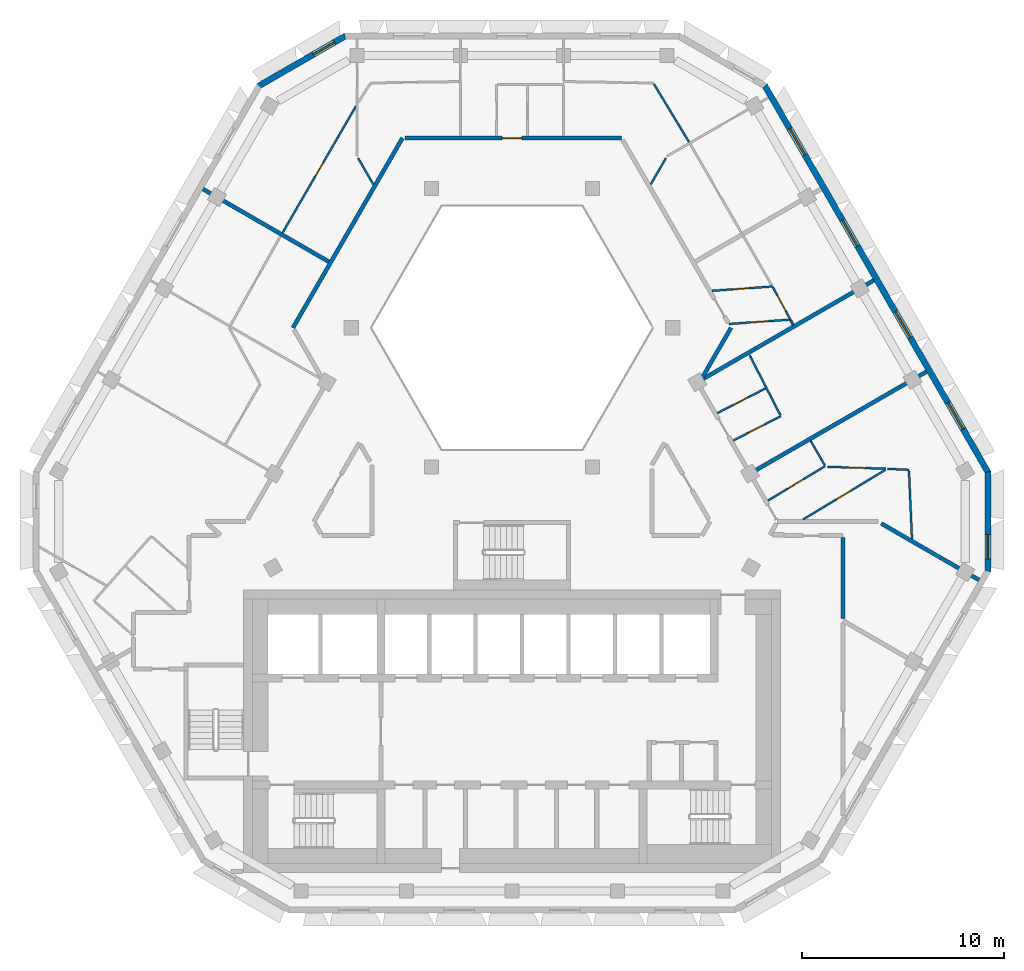
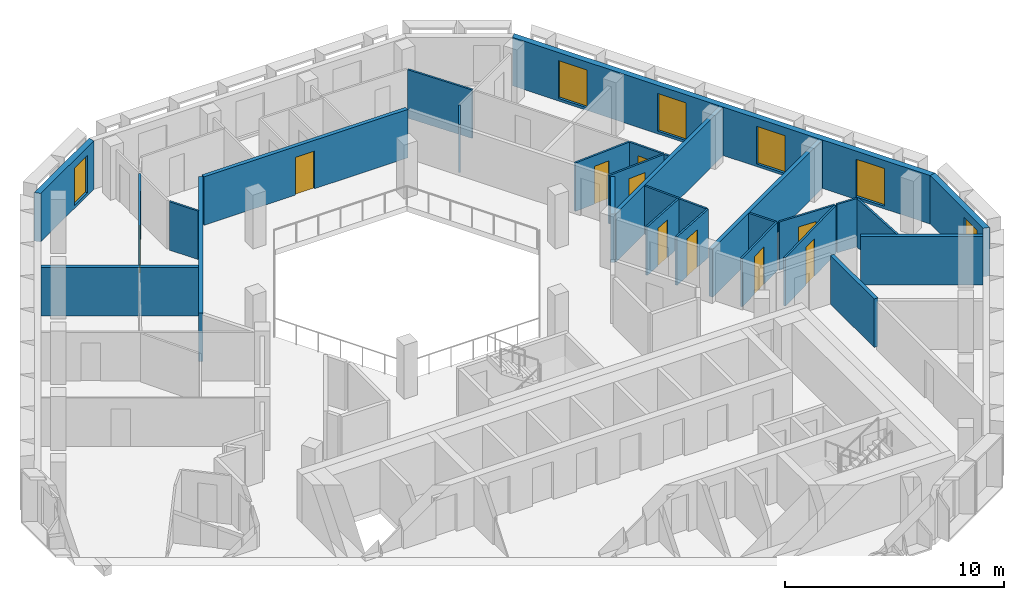
# One storey, part 6 of 14: 28 walls, 10 doors, 6 windows, 16 openings.
"""IFC4 building model written with IfcOpenShell, lengths in metres."""

from ifc_helpers import new_model, si_unit, direction, frame, frame_2d, origin, place, context, subcontext, project, spatial, polyline, rectangle, outline, extrude, material, layer, layer_set, type_object, element, fill, save


model = new_model("IFC4")

# Units and contexts
model_context = context("Model", 3, precision=1e-05, world=origin(), true_north=direction((0.0, 1.0)))
body_context = subcontext(model_context, "Body", "Model", "MODEL_VIEW")
ifc_project = project(units=[si_unit("LENGTHUNIT", "METRE"), si_unit("AREAUNIT", "SQUARE_METRE"), si_unit("VOLUMEUNIT", "CUBIC_METRE"), si_unit("PLANEANGLEUNIT", "RADIAN"), si_unit("MASSUNIT", "GRAM", prefix="KILO")], contexts=[model_context])

# Site, building, storey
site_placement = place(None, origin())
site = spatial("IfcSite", under=ifc_project, at=site_placement, CompositionType="ELEMENT")
building_placement = place(site_placement, origin())
building = spatial("IfcBuilding", under=site, at=building_placement, Name="Beryl Residences", CompositionType="ELEMENT")
storey_placement = place(building_placement, frame((0.0, 0.0, 229.800048828125)))
storey = spatial("IfcBuildingStorey", under=building, at=storey_placement, Name="L71", CompositionType="ELEMENT", Elevation=229.800048828125)

# Wall, opening, window
ifc_material_1 = material(Name="Composite metal panel with mineral wool insulation")
ifc_layer_1 = layer(ifc_material_1, 0.300048828125)
ifc_layer_set_1 = layer_set([ifc_layer_1], Name="ES1 pale metal composite panel wall 300 mm")
wall_type_1 = type_object("IfcWallType", Name="ES1 pale metal composite panel wall 300 mm", PredefinedType="SOLIDWALL", material=ifc_layer_set_1)
wall_1_placement = place(storey_placement, frame((-8.239013671875, 22.469970703125, 0.0), z_axis=(0.0, 0.0, 1.0), x_axis=(-0.866022959057, -0.500004234368, 0.0)))
wall_1 = element("IfcWall", 1, at=wall_1_placement, inside=storey, type_object=wall_type_1, Name="ES1 external wall L71 N-NW", PredefinedType="SOLIDWALL", context=body_context, shape_type="SweptSolid", body=[
    extrude(outline(polyline([(0.0, -0.14990234375), (5.0, -0.14990234375), (4.919677734375, 0.14990234375), (0.080322265625, 0.14990234375), (0.0, -0.14990234375)])), origin(), (0.0, 0.0, 1.0), 2.699951171875),
])
opening_1_placement = place(wall_1_placement, frame((0.64990234375, 0.0, 0.14990234375)))
opening_1 = element("IfcOpeningElement", 2, at=opening_1_placement, cuts=wall_1, Name="Opening W2", PredefinedType="OPENING", context=body_context, shape_type="SweptSolid", body=[
    extrude(rectangle(XDim=1.199951171875, YDim=2.10009765625, at=frame_2d((0.60009765625, 1.050048828125))), frame((0.0, 0.159912109375, 0.0), z_axis=(0.0, -1.0, 0.0), x_axis=(1.0, 0.0, 0.0)), (0.0, 0.0, 1.0), 0.320068359375),
])
ifc_material_2 = material(Name="Aluminium and clear glass", Category="aluminium")
window_type_1 = type_object("IfcWindowType", Name="W2 chamfer window 1200 x 2100 mm", PartitioningType="SINGLE_PANEL", PredefinedType="WINDOW", material=ifc_material_2)
window_1_placement = place(opening_1_placement, origin())
window_1 = element("IfcWindow", 3, at=window_1_placement, inside=storey, type_object=window_type_1, Name="W2 window L71 N-NW 1", OverallHeight=2.10009765625, OverallWidth=1.199951171875, PartitioningType="SINGLE_PANEL", PredefinedType="WINDOW", context=body_context, shape_type="SweptSolid", body=[
    extrude(rectangle(XDim=1.199951171875, YDim=2.10009765625, at=frame_2d((0.60009765625, 1.050048828125))), frame((0.0, 0.030029296875, 0.0), z_axis=(0.0, -1.0, 0.0), x_axis=(1.0, 0.0, 0.0)), (0.0, 0.0, 1.0), 0.06005859375),
])
fill(opening_1, window_1)

wall_2_placement = place(storey_placement, frame((23.5791015625, -4.10009765625, 0.0), z_axis=(0.0, 0.0, 1.0), x_axis=(0.0, 1.0, 0.0)))
wall_2 = element("IfcWall", 4, at=wall_2_placement, inside=storey, type_object=wall_type_1, Name="ES1 external wall L71 SE-NE", PredefinedType="SOLIDWALL", context=body_context, shape_type="SweptSolid", body=[
    extrude(outline(polyline([(0.0, -0.14990234375), (5.0, -0.14990234375), (4.919677734375, 0.14990234375), (0.080322265625, 0.14990234375), (0.0, -0.14990234375)])), origin(), (0.0, 0.0, 1.0), 2.699951171875),
])
opening_2_placement = place(wall_2_placement, frame((0.64990234375, 0.0, 0.14990234375)))
opening_2 = element("IfcOpeningElement", 5, at=opening_2_placement, cuts=wall_2, Name="Opening W2", PredefinedType="OPENING", context=body_context, shape_type="SweptSolid", body=[
    extrude(rectangle(XDim=1.199951171875, YDim=2.10009765625, at=frame_2d((0.60009765625, 1.050048828125))), frame((0.0, 0.159912109375, 0.0), z_axis=(0.0, -1.0, 0.0), x_axis=(1.0, 0.0, 0.0)), (0.0, 0.0, 1.0), 0.320068359375),
])
window_2_placement = place(opening_2_placement, origin())
window_2 = element("IfcWindow", 6, at=window_2_placement, inside=storey, type_object=window_type_1, Name="W2 window L71 SE-NE 1", OverallHeight=2.10009765625, OverallWidth=1.199951171875, PartitioningType="SINGLE_PANEL", PredefinedType="WINDOW", context=body_context, shape_type="SweptSolid", body=[
    extrude(rectangle(XDim=1.199951171875, YDim=2.10009765625, at=frame_2d((0.60009765625, 1.050048828125))), frame((0.0, 0.030029296875, 0.0), z_axis=(0.0, -1.0, 0.0), x_axis=(1.0, 0.0, 0.0)), (0.0, 0.0, 1.0), 0.06005859375),
])
fill(opening_2, window_2)

# Wall, openings, windows
wall_3_placement = place(storey_placement, frame((23.59912109375, 0.824951171875, 0.0), z_axis=(0.0, 0.0, 1.0), x_axis=(-0.500003656944, 0.866023292436, 0.0)))
wall_3 = element("IfcWall", 7, at=wall_3_placement, inside=storey, type_object=wall_type_1, Name="ES1 external wall L71 NE", PredefinedType="SOLIDWALL", context=body_context, shape_type="SweptSolid", body=[
    extrude(outline(polyline([(0.0, -0.14990234375), (22.170166015625, -0.14990234375), (22.08984375, 0.14990234375), (0.080322265625, 0.14990234375), (0.0, -0.14990234375)])), origin(), (0.0, 0.0, 1.0), 2.699951171875),
])
opening_3_placement = place(wall_3_placement, frame((2.4970703125, 0.0, 0.14990234375)))
opening_3 = element("IfcOpeningElement", 8, at=opening_3_placement, cuts=wall_3, Name="Opening W1", PredefinedType="OPENING", context=body_context, shape_type="SweptSolid", body=[
    extrude(rectangle(XDim=1.5, YDim=2.10009765625, at=frame_2d((0.75, 1.050048828125))), frame((0.0, 0.159912109375, 0.0), z_axis=(0.0, -1.0, 0.0), x_axis=(1.0, 0.0, 0.0)), (0.0, 0.0, 1.0), 0.320068359375),
])
opening_4_placement = place(wall_3_placement, frame((7.722900390625, 0.0, 0.14990234375)))
opening_4 = element("IfcOpeningElement", 9, at=opening_4_placement, cuts=wall_3, Name="Opening W1", PredefinedType="OPENING", context=body_context, shape_type="SweptSolid", body=[
    extrude(rectangle(XDim=1.5, YDim=2.10009765625, at=frame_2d((0.75, 1.050048828125))), frame((0.0, 0.159912109375, 0.0), z_axis=(0.0, -1.0, 0.0), x_axis=(1.0, 0.0, 0.0)), (0.0, 0.0, 1.0), 0.320068359375),
])
opening_5_placement = place(wall_3_placement, frame((12.947998046875, 0.0, 0.14990234375)))
opening_5 = element("IfcOpeningElement", 10, at=opening_5_placement, cuts=wall_3, Name="Opening W1", PredefinedType="OPENING", context=body_context, shape_type="SweptSolid", body=[
    extrude(rectangle(XDim=1.5, YDim=2.10009765625, at=frame_2d((0.75, 1.050048828125))), frame((0.0, 0.159912109375, 0.0), z_axis=(0.0, -1.0, 0.0), x_axis=(1.0, 0.0, 0.0)), (0.0, 0.0, 1.0), 0.320068359375),
])
opening_6_placement = place(wall_3_placement, frame((18.173095703125, 0.0, 0.14990234375)))
opening_6 = element("IfcOpeningElement", 11, at=opening_6_placement, cuts=wall_3, Name="Opening W1", PredefinedType="OPENING", context=body_context, shape_type="SweptSolid", body=[
    extrude(rectangle(XDim=1.5, YDim=2.10009765625, at=frame_2d((0.75, 1.050048828125))), frame((0.0, 0.159912109375, 0.0), z_axis=(0.0, -1.0, 0.0), x_axis=(1.0, 0.0, 0.0)), (0.0, 0.0, 1.0), 0.320068359375),
])
ifc_material_3 = material(Name="Aluminium and clear glass", Category="aluminium")
window_type_2 = type_object("IfcWindowType", Name="W1 cell window 1500 x 2100 mm", PartitioningType="SINGLE_PANEL", PredefinedType="WINDOW", material=ifc_material_3)
window_3_placement = place(opening_3_placement, origin())
window_3 = element("IfcWindow", 12, at=window_3_placement, inside=storey, type_object=window_type_2, Name="W1 window L71 NE 2", OverallHeight=2.10009765625, OverallWidth=1.5, PartitioningType="SINGLE_PANEL", PredefinedType="WINDOW", context=body_context, shape_type="SweptSolid", body=[
    extrude(rectangle(XDim=1.5, YDim=2.10009765625, at=frame_2d((0.75, 1.050048828125))), frame((0.0, 0.030029296875, 0.0), z_axis=(0.0, -1.0, 0.0), x_axis=(1.0, 0.0, 0.0)), (0.0, 0.0, 1.0), 0.06005859375),
])
fill(opening_3, window_3)
window_4_placement = place(opening_4_placement, origin())
window_4 = element("IfcWindow", 13, at=window_4_placement, inside=storey, type_object=window_type_2, Name="W1 window L71 NE 4", OverallHeight=2.10009765625, OverallWidth=1.5, PartitioningType="SINGLE_PANEL", PredefinedType="WINDOW", context=body_context, shape_type="SweptSolid", body=[
    extrude(rectangle(XDim=1.5, YDim=2.10009765625, at=frame_2d((0.75, 1.050048828125))), frame((0.0, 0.030029296875, 0.0), z_axis=(0.0, -1.0, 0.0), x_axis=(1.0, 0.0, 0.0)), (0.0, 0.0, 1.0), 0.06005859375),
])
fill(opening_4, window_4)
window_5_placement = place(opening_5_placement, origin())
window_5 = element("IfcWindow", 14, at=window_5_placement, inside=storey, type_object=window_type_2, Name="W1 window L71 NE 6", OverallHeight=2.10009765625, OverallWidth=1.5, PartitioningType="SINGLE_PANEL", PredefinedType="WINDOW", context=body_context, shape_type="SweptSolid", body=[
    extrude(rectangle(XDim=1.5, YDim=2.10009765625, at=frame_2d((0.75, 1.050048828125))), frame((0.0, 0.030029296875, 0.0), z_axis=(0.0, -1.0, 0.0), x_axis=(1.0, 0.0, 0.0)), (0.0, 0.0, 1.0), 0.06005859375),
])
fill(opening_5, window_5)
window_6_placement = place(opening_6_placement, origin())
window_6 = element("IfcWindow", 15, at=window_6_placement, inside=storey, type_object=window_type_2, Name="W1 window L71 NE 8", OverallHeight=2.10009765625, OverallWidth=1.5, PartitioningType="SINGLE_PANEL", PredefinedType="WINDOW", context=body_context, shape_type="SweptSolid", body=[
    extrude(rectangle(XDim=1.5, YDim=2.10009765625, at=frame_2d((0.75, 1.050048828125))), frame((0.0, 0.030029296875, 0.0), z_axis=(0.0, -1.0, 0.0), x_axis=(1.0, 0.0, 0.0)), (0.0, 0.0, 1.0), 0.06005859375),
])
fill(opening_6, window_6)

# Walls
ifc_material_4 = material(Name="Gypsum board partition on steel studs", Category="steel")
ifc_layer_2 = layer(ifc_material_4, 0.10009765625)
ifc_layer_set_2 = layer_set([ifc_layer_2], Name="PT1 partition 100 mm gypsum board on steel studs")
wall_type_2 = type_object("IfcWallType", Name="PT1 partition 100 mm gypsum board on steel studs", PredefinedType="PARTITIONING", material=ifc_layer_set_2)
wall_4_placement = place(storey_placement, frame((7.032958984375, 20.076904296875, 0.0), z_axis=(0.0, 0.0, 1.0), x_axis=(0.517730137343, -0.855543981854, 0.0)))
element("IfcWall", 16, at=wall_4_placement, inside=storey, type_object=wall_type_2, Name="Wall PT1 L71 001", PredefinedType="PARTITIONING", context=body_context, shape_type="SweptSolid", body=[
    extrude(rectangle(XDim=3.37060546875, YDim=0.10009765625, at=frame_2d((1.685302734375, 0.0))), origin(), (0.0, 0.0, 1.0), 2.699951171875),
])
wall_5_placement = place(storey_placement, frame((14.800048828125, 2.39697265625, 0.0), z_axis=(0.0, 0.0, 1.0), x_axis=(0.49989805765, -0.866084252228, 0.0)))
element("IfcWall", 17, at=wall_5_placement, inside=storey, type_object=wall_type_2, Name="Wall PT1 L71 002", PredefinedType="PARTITIONING", context=body_context, shape_type="SweptSolid", body=[
    extrude(rectangle(XDim=1.404052734375, YDim=0.10009765625, at=frame_2d((0.7021484375, 0.0))), origin(), (0.0, 0.0, 1.0), 2.699951171875),
])
wall_6_placement = place(storey_placement, frame((-7.6279296875, 16.412109375, 0.0), z_axis=(0.0, 0.0, 1.0), x_axis=(0.500159472144, -0.86593331292, 0.0)))
element("IfcWall", 18, at=wall_6_placement, inside=storey, type_object=wall_type_2, Name="Wall PT1 L71 003", PredefinedType="PARTITIONING", context=body_context, shape_type="SweptSolid", body=[
    extrude(rectangle(XDim=1.51513671875, YDim=0.10009765625, at=frame_2d((0.757568359375, 0.0))), origin(), (0.0, 0.0, 1.0), 2.699951171875),
])

# Wall, opening, door
wall_7_placement = place(storey_placement, frame((12.922119140625, 10.01611328125, 0.0), z_axis=(0.0, 0.0, 1.0), x_axis=(0.476510550025, -0.879168752695, 0.0)))
wall_7 = element("IfcWall", 19, at=wall_7_placement, inside=storey, type_object=wall_type_2, Name="Wall PT1 L71 006", PredefinedType="PARTITIONING", context=body_context, shape_type="SweptSolid", body=[
    extrude(rectangle(XDim=1.79833984375, YDim=0.10009765625, at=frame_2d((0.899169921875, 0.0))), origin(), (0.0, 0.0, 1.0), 2.699951171875),
])
opening_7_placement = place(wall_7_placement, frame((0.448974609375, 0.0, 0.0)))
opening_7 = element("IfcOpeningElement", 20, at=opening_7_placement, cuts=wall_7, Name="Opening D2233", PredefinedType="OPENING", context=body_context, shape_type="SweptSolid", body=[
    extrude(rectangle(XDim=0.89990234375, YDim=2.10009765625, at=frame_2d((0.449951171875, 1.050048828125))), frame((0.0, 0.06005859375, 0.0), z_axis=(0.0, -1.0, 0.0), x_axis=(1.0, 0.0, 0.0)), (0.0, 0.0, 1.0), 0.1201171875),
])
ifc_material_5 = material(Name="Timber door leaf", Category="wood")
door_type_1 = type_object("IfcDoorType", Name="D2 room door 900 x 2100 mm", OperationType="SINGLE_SWING_LEFT", PredefinedType="DOOR", material=ifc_material_5)
door_1_placement = place(opening_7_placement, origin())
door_1 = element("IfcDoor", 21, at=door_1_placement, inside=storey, type_object=door_type_1, Name="Door D2233 L71 001", OperationType="SINGLE_SWING_LEFT", OverallHeight=2.10009765625, OverallWidth=0.89990234375, PredefinedType="DOOR", context=body_context, shape_type="SweptSolid", body=[
    extrude(rectangle(XDim=0.89990234375, YDim=2.10009765625, at=frame_2d((0.449951171875, 1.050048828125))), frame((0.0, 0.02490234375, 0.0), z_axis=(0.0, -1.0, 0.0), x_axis=(1.0, 0.0, 0.0)), (0.0, 0.0, 1.0), 0.050048828125),
])
fill(opening_7, door_1)

# Walls
wall_8_placement = place(storey_placement, frame((13.81103515625, 8.375, 0.0), z_axis=(0.0, 0.0, 1.0), x_axis=(0.457058020142, -0.889436881529, 0.0)))
element("IfcWall", 22, at=wall_8_placement, inside=storey, type_object=wall_type_2, Name="Wall PT1 L71 007", PredefinedType="PARTITIONING", context=body_context, shape_type="SweptSolid", body=[
    extrude(rectangle(XDim=0.247314453125, YDim=0.10009765625, at=frame_2d((0.12353515625, 0.0))), origin(), (0.0, 0.0, 1.0), 2.699951171875),
])
wall_9_placement = place(storey_placement, frame((11.77197265625, 6.64599609375, 0.0), z_axis=(0.0, 0.0, 1.0), x_axis=(0.456175983405, -0.889889584254, 0.0)))
element("IfcWall", 23, at=wall_9_placement, inside=storey, type_object=wall_type_2, Name="Wall PT1 L71 008", PredefinedType="PARTITIONING", context=body_context, shape_type="SweptSolid", body=[
    extrude(rectangle(XDim=3.34765625, YDim=0.10009765625, at=frame_2d((1.673828125, 0.0))), origin(), (0.0, 0.0, 1.0), 2.699951171875),
])
wall_10_placement = place(storey_placement, frame((19.669921875, 0.908935546875, 0.0), z_axis=(0.0, 0.0, 1.0), x_axis=(0.043933486644, -0.99903445824, 0.0)))
element("IfcWall", 24, at=wall_10_placement, inside=storey, type_object=wall_type_2, Name="Wall PT1 L71 009", PredefinedType="PARTITIONING", context=body_context, shape_type="SweptSolid", body=[
    extrude(rectangle(XDim=3.373046875, YDim=0.10009765625, at=frame_2d((1.6865234375, 0.0))), origin(), (0.0, 0.0, 1.0), 2.699951171875),
])

# Wall, opening, door
wall_11_placement = place(storey_placement, frame((15.631103515625, 1.112060546875, 0.0), z_axis=(0.0, 0.0, 1.0), x_axis=(0.999423034213, -0.033964668168, 0.0)))
wall_11 = element("IfcWall", 25, at=wall_11_placement, inside=storey, type_object=wall_type_2, Name="Wall PT1 L71 014", PredefinedType="PARTITIONING", context=body_context, shape_type="SweptSolid", body=[
    extrude(rectangle(XDim=2.8896484375, YDim=0.10009765625, at=frame_2d((1.44482421875, 0.0))), origin(), (0.0, 0.0, 1.0), 2.699951171875),
])
opening_8_placement = place(wall_11_placement, frame((0.9951171875, 0.0, 0.0)))
opening_8 = element("IfcOpeningElement", 26, at=opening_8_placement, cuts=wall_11, Name="Opening D2226", PredefinedType="OPENING", context=body_context, shape_type="SweptSolid", body=[
    extrude(rectangle(XDim=0.89990234375, YDim=2.10009765625, at=frame_2d((0.449951171875, 1.050048828125))), frame((0.0, 0.06005859375, 0.0), z_axis=(0.0, -1.0, 0.0), x_axis=(1.0, 0.0, 0.0)), (0.0, 0.0, 1.0), 0.1201171875),
])
door_2_placement = place(opening_8_placement, origin())
door_2 = element("IfcDoor", 27, at=door_2_placement, inside=storey, type_object=door_type_1, Name="Door D2226 L71 001", OperationType="SINGLE_SWING_RIGHT", OverallHeight=2.10009765625, OverallWidth=0.89990234375, PredefinedType="DOOR", context=body_context, shape_type="SweptSolid", body=[
    extrude(rectangle(XDim=0.89990234375, YDim=2.10009765625, at=frame_2d((0.449951171875, 1.050048828125))), frame((0.0, 0.02490234375, 0.0), z_axis=(0.0, -1.0, 0.0), x_axis=(1.0, 0.0, 0.0)), (0.0, 0.0, 1.0), 0.050048828125),
])
fill(opening_8, door_2)

# Wall
wall_12_placement = place(storey_placement, frame((6.87109375, 15.10009765625, 0.0), z_axis=(0.0, 0.0, 1.0), x_axis=(0.499805980977, 0.866137391745, 0.0)))
element("IfcWall", 28, at=wall_12_placement, inside=storey, type_object=wall_type_2, Name="Wall PT1 L71 024", PredefinedType="PARTITIONING", context=body_context, shape_type="SweptSolid", body=[
    extrude(rectangle(XDim=1.51806640625, YDim=0.10009765625, at=frame_2d((0.759033203125, 0.0))), origin(), (0.0, 0.0, 1.0), 2.699951171875),
])

# Wall, opening, door
wall_13_placement = place(storey_placement, frame((-11.366943359375, 12.7119140625, 0.0), z_axis=(0.0, 0.0, 1.0), x_axis=(0.501473866443, 0.865172792727, 0.0)))
wall_13 = element("IfcWall", 29, at=wall_13_placement, inside=storey, type_object=wall_type_2, Name="Wall PT1 L71 025", PredefinedType="PARTITIONING", context=body_context, shape_type="SweptSolid", body=[
    extrude(rectangle(XDim=7.25634765625, YDim=0.10009765625, at=frame_2d((3.628173828125, 0.0))), origin(), (0.0, 0.0, 1.0), 2.699951171875),
])
opening_9_placement = place(wall_13_placement, frame((3.22802734375, 0.0, 0.0)))
opening_9 = element("IfcOpeningElement", 30, at=opening_9_placement, cuts=wall_13, Name="Opening D2211", PredefinedType="OPENING", context=body_context, shape_type="SweptSolid", body=[
    extrude(rectangle(XDim=0.800048828125, YDim=2.10009765625, at=frame_2d((0.39990234375, 1.050048828125))), frame((0.0, 0.06005859375, 0.0), z_axis=(0.0, -1.0, 0.0), x_axis=(1.0, 0.0, 0.0)), (0.0, 0.0, 1.0), 0.1201171875),
])
ifc_material_6 = material(Name="Timber door leaf", Category="wood")
door_type_2 = type_object("IfcDoorType", Name="D3 bathroom door 800 x 2100 mm", OperationType="SINGLE_SWING_LEFT", PredefinedType="DOOR", material=ifc_material_6)
door_3_placement = place(opening_9_placement, origin())
door_3 = element("IfcDoor", 31, at=door_3_placement, inside=storey, type_object=door_type_2, Name="Door D2211 L71 001", OperationType="SINGLE_SWING_LEFT", OverallHeight=2.10009765625, OverallWidth=0.800048828125, PredefinedType="DOOR", context=body_context, shape_type="SweptSolid", body=[
    extrude(rectangle(XDim=0.800048828125, YDim=2.10009765625, at=frame_2d((0.39990234375, 1.050048828125))), frame((0.0, 0.02490234375, 0.0), z_axis=(0.0, -1.0, 0.0), x_axis=(1.0, 0.0, 0.0)), (0.0, 0.0, 1.0), 0.050048828125),
])
fill(opening_9, door_3)

wall_14_placement = place(storey_placement, frame((10.177978515625, 3.77197265625, 0.0), z_axis=(0.0, 0.0, 1.0), x_axis=(0.889732071959, 0.456483121405, 0.0)))
wall_14 = element("IfcWall", 32, at=wall_14_placement, inside=storey, type_object=wall_type_2, Name="Wall PT1 L71 032", PredefinedType="PARTITIONING", context=body_context, shape_type="SweptSolid", body=[
    extrude(rectangle(XDim=2.679443359375, YDim=0.10009765625, at=frame_2d((1.33984375, 0.0))), origin(), (0.0, 0.0, 1.0), 2.699951171875),
])
opening_10_placement = place(wall_14_placement, frame((0.9150390625, 0.0, 0.0)))
opening_10 = element("IfcOpeningElement", 33, at=opening_10_placement, cuts=wall_14, Name="Opening D2229", PredefinedType="OPENING", context=body_context, shape_type="SweptSolid", body=[
    extrude(rectangle(XDim=0.800048828125, YDim=2.10009765625, at=frame_2d((0.39990234375, 1.050048828125))), frame((0.0, 0.06005859375, 0.0), z_axis=(0.0, -1.0, 0.0), x_axis=(1.0, 0.0, 0.0)), (0.0, 0.0, 1.0), 0.1201171875),
])
door_4_placement = place(opening_10_placement, origin())
door_4 = element("IfcDoor", 34, at=door_4_placement, inside=storey, type_object=door_type_2, Name="Door D2229 L71 001", OperationType="SINGLE_SWING_LEFT", OverallHeight=2.10009765625, OverallWidth=0.800048828125, PredefinedType="DOOR", context=body_context, shape_type="SweptSolid", body=[
    extrude(rectangle(XDim=0.800048828125, YDim=2.10009765625, at=frame_2d((0.39990234375, 1.050048828125))), frame((0.0, 0.02490234375, 0.0), z_axis=(0.0, -1.0, 0.0), x_axis=(1.0, 0.0, 0.0)), (0.0, 0.0, 1.0), 0.050048828125),
])
fill(opening_10, door_4)

wall_15_placement = place(storey_placement, frame((10.962890625, 2.412109375, 0.0), z_axis=(0.0, 0.0, 1.0), x_axis=(0.889943997558, 0.456069820543, 0.0)))
wall_15 = element("IfcWall", 35, at=wall_15_placement, inside=storey, type_object=wall_type_2, Name="Wall PT1 L71 033", PredefinedType="PARTITIONING", context=body_context, shape_type="SweptSolid", body=[
    extrude(rectangle(XDim=2.65087890625, YDim=0.10009765625, at=frame_2d((1.325439453125, 0.0))), origin(), (0.0, 0.0, 1.0), 2.699951171875),
])
opening_11_placement = place(wall_15_placement, frame((0.825927734375, 0.0, 0.0)))
opening_11 = element("IfcOpeningElement", 36, at=opening_11_placement, cuts=wall_15, Name="Opening D2228", PredefinedType="OPENING", context=body_context, shape_type="SweptSolid", body=[
    extrude(rectangle(XDim=0.89990234375, YDim=2.10009765625, at=frame_2d((0.449951171875, 1.050048828125))), frame((0.0, 0.06005859375, 0.0), z_axis=(0.0, -1.0, 0.0), x_axis=(1.0, 0.0, 0.0)), (0.0, 0.0, 1.0), 0.1201171875),
])
door_5_placement = place(opening_11_placement, origin())
door_5 = element("IfcDoor", 37, at=door_5_placement, inside=storey, type_object=door_type_1, Name="Door D2228 L71 001", OperationType="SINGLE_SWING_RIGHT", OverallHeight=2.10009765625, OverallWidth=0.89990234375, PredefinedType="DOOR", context=body_context, shape_type="SweptSolid", body=[
    extrude(rectangle(XDim=0.89990234375, YDim=2.10009765625, at=frame_2d((0.449951171875, 1.050048828125))), frame((0.0, 0.02490234375, 0.0), z_axis=(0.0, -1.0, 0.0), x_axis=(1.0, 0.0, 0.0)), (0.0, 0.0, 1.0), 0.050048828125),
])
fill(opening_11, door_5)

wall_16_placement = place(storey_placement, frame((12.680908203125, -0.56396484375, 0.0), z_axis=(0.0, 0.0, 1.0), x_axis=(0.856575482301, 0.516021746752, 0.0)))
wall_16 = element("IfcWall", 38, at=wall_16_placement, inside=storey, type_object=wall_type_2, Name="Wall PT1 L71 035", PredefinedType="PARTITIONING", context=body_context, shape_type="SweptSolid", body=[
    extrude(rectangle(XDim=3.315673828125, YDim=0.10009765625, at=frame_2d((1.65771484375, 0.0))), origin(), (0.0, 0.0, 1.0), 2.699951171875),
])
opening_12_placement = place(wall_16_placement, frame((1.157958984375, 0.0, 0.0)))
opening_12 = element("IfcOpeningElement", 39, at=opening_12_placement, cuts=wall_16, Name="Opening D2225", PredefinedType="OPENING", context=body_context, shape_type="SweptSolid", body=[
    extrude(rectangle(XDim=0.89990234375, YDim=2.10009765625, at=frame_2d((0.449951171875, 1.050048828125))), frame((0.0, 0.06005859375, 0.0), z_axis=(0.0, -1.0, 0.0), x_axis=(1.0, 0.0, 0.0)), (0.0, 0.0, 1.0), 0.1201171875),
])
door_6_placement = place(opening_12_placement, origin())
door_6 = element("IfcDoor", 40, at=door_6_placement, inside=storey, type_object=door_type_1, Name="Door D2225 L71 001", OperationType="SINGLE_SWING_LEFT", OverallHeight=2.10009765625, OverallWidth=0.89990234375, PredefinedType="DOOR", context=body_context, shape_type="SweptSolid", body=[
    extrude(rectangle(XDim=0.89990234375, YDim=2.10009765625, at=frame_2d((0.449951171875, 1.050048828125))), frame((0.0, 0.02490234375, 0.0), z_axis=(0.0, -1.0, 0.0), x_axis=(1.0, 0.0, 0.0)), (0.0, 0.0, 1.0), 0.050048828125),
])
fill(opening_12, door_6)

wall_17_placement = place(storey_placement, frame((14.423095703125, -1.4990234375, 0.0), z_axis=(0.0, 0.0, 1.0), x_axis=(0.856512638305, 0.516126050905, 0.0)))
wall_17 = element("IfcWall", 41, at=wall_17_placement, inside=storey, type_object=wall_type_2, Name="Wall PT1 L71 036", PredefinedType="PARTITIONING", context=body_context, shape_type="SweptSolid", body=[
    extrude(rectangle(XDim=4.776123046875, YDim=0.10009765625, at=frame_2d((2.38818359375, 0.0))), origin(), (0.0, 0.0, 1.0), 2.699951171875),
])
opening_13_placement = place(wall_17_placement, frame((1.93603515625, 0.0, 0.0)))
opening_13 = element("IfcOpeningElement", 42, at=opening_13_placement, cuts=wall_17, Name="Opening D2224", PredefinedType="OPENING", context=body_context, shape_type="SweptSolid", body=[
    extrude(rectangle(XDim=0.800048828125, YDim=2.10009765625, at=frame_2d((0.39990234375, 1.050048828125))), frame((0.0, 0.06005859375, 0.0), z_axis=(0.0, -1.0, 0.0), x_axis=(1.0, 0.0, 0.0)), (0.0, 0.0, 1.0), 0.1201171875),
])
door_7_placement = place(opening_13_placement, origin())
door_7 = element("IfcDoor", 43, at=door_7_placement, inside=storey, type_object=door_type_2, Name="Door D2224 L71 001", OperationType="SINGLE_SWING_RIGHT", OverallHeight=2.10009765625, OverallWidth=0.800048828125, PredefinedType="DOOR", context=body_context, shape_type="SweptSolid", body=[
    extrude(rectangle(XDim=0.800048828125, YDim=2.10009765625, at=frame_2d((0.39990234375, 1.050048828125))), frame((0.0, 0.02490234375, 0.0), z_axis=(0.0, -1.0, 0.0), x_axis=(1.0, 0.0, 0.0)), (0.0, 0.0, 1.0), 0.050048828125),
])
fill(opening_13, door_7)

wall_18_placement = place(storey_placement, frame((10.74609375, 8.18701171875, 0.0), z_axis=(0.0, 0.0, 1.0), x_axis=(0.997477310687, 0.070986017387, 0.0)))
wall_18 = element("IfcWall", 44, at=wall_18_placement, inside=storey, type_object=wall_type_2, Name="Wall PT1 L71 037", PredefinedType="PARTITIONING", context=body_context, shape_type="SweptSolid", body=[
    extrude(rectangle(XDim=3.0576171875, YDim=0.10009765625, at=frame_2d((1.52880859375, 0.0))), origin(), (0.0, 0.0, 1.0), 2.699951171875),
])
opening_14_placement = place(wall_18_placement, frame((1.0791015625, 0.0, 0.0)))
opening_14 = element("IfcOpeningElement", 45, at=opening_14_placement, cuts=wall_18, Name="Opening D2232", PredefinedType="OPENING", context=body_context, shape_type="SweptSolid", body=[
    extrude(rectangle(XDim=0.89990234375, YDim=2.10009765625, at=frame_2d((0.449951171875, 1.050048828125))), frame((0.0, 0.06005859375, 0.0), z_axis=(0.0, -1.0, 0.0), x_axis=(1.0, 0.0, 0.0)), (0.0, 0.0, 1.0), 0.1201171875),
])
door_8_placement = place(opening_14_placement, origin())
door_8 = element("IfcDoor", 46, at=door_8_placement, inside=storey, type_object=door_type_1, Name="Door D2232 L71 001", OperationType="SINGLE_SWING_RIGHT", OverallHeight=2.10009765625, OverallWidth=0.89990234375, PredefinedType="DOOR", context=body_context, shape_type="SweptSolid", body=[
    extrude(rectangle(XDim=0.89990234375, YDim=2.10009765625, at=frame_2d((0.449951171875, 1.050048828125))), frame((0.0, 0.02490234375, 0.0), z_axis=(0.0, -1.0, 0.0), x_axis=(1.0, 0.0, 0.0)), (0.0, 0.0, 1.0), 0.050048828125),
])
fill(opening_14, door_8)

wall_19_placement = place(storey_placement, frame((9.912109375, 9.8310546875, 0.0), z_axis=(0.0, 0.0, 1.0), x_axis=(0.997459937941, 0.071229714326, 0.0)))
wall_19 = element("IfcWall", 47, at=wall_19_placement, inside=storey, type_object=wall_type_2, Name="Wall PT1 L71 038", PredefinedType="PARTITIONING", context=body_context, shape_type="SweptSolid", body=[
    extrude(rectangle(XDim=3.00244140625, YDim=0.10009765625, at=frame_2d((1.501220703125, 0.0))), origin(), (0.0, 0.0, 1.0), 2.699951171875),
])
opening_15_placement = place(wall_19_placement, frame((1.044921875, 0.0, 0.0)))
opening_15 = element("IfcOpeningElement", 48, at=opening_15_placement, cuts=wall_19, Name="Opening D2231", PredefinedType="OPENING", context=body_context, shape_type="SweptSolid", body=[
    extrude(rectangle(XDim=0.800048828125, YDim=2.10009765625, at=frame_2d((0.39990234375, 1.050048828125))), frame((0.0, 0.06005859375, 0.0), z_axis=(0.0, -1.0, 0.0), x_axis=(1.0, 0.0, 0.0)), (0.0, 0.0, 1.0), 0.1201171875),
])
door_9_placement = place(opening_15_placement, origin())
door_9 = element("IfcDoor", 49, at=door_9_placement, inside=storey, type_object=door_type_2, Name="Door D2231 L71 001", OperationType="SINGLE_SWING_LEFT", OverallHeight=2.10009765625, OverallWidth=0.800048828125, PredefinedType="DOOR", context=body_context, shape_type="SweptSolid", body=[
    extrude(rectangle(XDim=0.800048828125, YDim=2.10009765625, at=frame_2d((0.39990234375, 1.050048828125))), frame((0.0, 0.02490234375, 0.0), z_axis=(0.0, -1.0, 0.0), x_axis=(1.0, 0.0, 0.0)), (0.0, 0.0, 1.0), 0.050048828125),
])
fill(opening_15, door_9)

# Walls
wall_20_placement = place(storey_placement, frame((18.611083984375, 1.010986328125, 0.0), z_axis=(0.0, 0.0, 1.0), x_axis=(0.998789491469, -0.049188939117, 0.0)))
element("IfcWall", 50, at=wall_20_placement, inside=storey, type_object=wall_type_2, Name="Wall PT1 L71 040", PredefinedType="PARTITIONING", context=body_context, shape_type="SweptSolid", body=[
    extrude(rectangle(XDim=1.05712890625, YDim=0.10009765625, at=frame_2d((0.528564453125, 0.0))), origin(), (0.0, 0.0, 1.0), 2.699951171875),
])
ifc_material_7 = material(Name="Acoustic double stud gypsum board wall")
ifc_layer_3 = layer(ifc_material_7, 0.199951171875)
ifc_layer_set_3 = layer_set([ifc_layer_3], Name="PT3 party wall 200 mm acoustic double stud")
wall_type_3 = type_object("IfcWallType", Name="PT3 party wall 200 mm acoustic double stud", PredefinedType="PARTITIONING", material=ifc_layer_set_3)
wall_21_placement = place(storey_placement, frame((-15.31396484375, 14.875, 0.0), z_axis=(0.0, 0.0, 1.0), x_axis=(0.866001485781, -0.500041424909, 0.0)))
element("IfcWall", 51, at=wall_21_placement, inside=storey, type_object=wall_type_3, Name="Wall PT3 L71 001", PredefinedType="PARTITIONING", context=body_context, shape_type="SweptSolid", body=[
    extrude(rectangle(XDim=7.19970703125, YDim=0.199951171875, at=frame_2d((3.599853515625, 0.0))), origin(), (0.0, 0.0, 1.0), 2.699951171875),
])
wall_22_placement = place(storey_placement, frame((18.299072265625, -1.698974609375, 0.0), z_axis=(0.0, 0.0, 1.0), x_axis=(0.865962789554, -0.50010843535, 0.0)))
element("IfcWall", 52, at=wall_22_placement, inside=storey, type_object=wall_type_3, Name="Wall PT3 L71 002", PredefinedType="PARTITIONING", context=body_context, shape_type="SweptSolid", body=[
    extrude(rectangle(XDim=5.602783203125, YDim=0.199951171875, at=frame_2d((2.80126953125, 0.0))), origin(), (0.0, 0.0, 1.0), 2.699951171875),
])
wall_23_placement = place(storey_placement, frame((11.87890625, 0.825927734375, 0.0), z_axis=(0.0, 0.0, 1.0), x_axis=(0.866065245018, 0.499930986609, 0.0)))
element("IfcWall", 53, at=wall_23_placement, inside=storey, type_object=wall_type_3, Name="Wall PT3 L71 008", PredefinedType="PARTITIONING", context=body_context, shape_type="SweptSolid", body=[
    extrude(rectangle(XDim=9.99951171875, YDim=0.199951171875, at=frame_2d((4.999755859375, 0.0))), origin(), (0.0, 0.0, 1.0), 2.699951171875),
])
wall_24_placement = place(storey_placement, frame((9.45703125, 5.4609375, 0.0), z_axis=(0.0, 0.0, 1.0), x_axis=(0.866043818878, 0.499968102766, 0.0)))
element("IfcWall", 54, at=wall_24_placement, inside=storey, type_object=wall_type_3, Name="Wall PT3 L71 009", PredefinedType="PARTITIONING", context=body_context, shape_type="SweptSolid", body=[
    extrude(rectangle(XDim=9.779052734375, YDim=0.199951171875, at=frame_2d((4.8896484375, 0.0))), origin(), (0.0, 0.0, 1.0), 2.699951171875),
])
ifc_material_8 = material(Name="Double stud gypsum board wall")
ifc_layer_4 = layer(ifc_material_8, 0.199951171875)
ifc_layer_set_4 = layer_set([ifc_layer_4], Name="PT4 corridor wall 200 mm double stud")
wall_type_4 = type_object("IfcWallType", Name="PT4 corridor wall 200 mm double stud", PredefinedType="PARTITIONING", material=ifc_layer_set_4)
wall_25_placement = place(storey_placement, frame((16.407958984375, -2.39990234375, 0.0), z_axis=(0.0, 0.0, 1.0), x_axis=(0.0, -1.0, 0.0)))
element("IfcWall", 55, at=wall_25_placement, inside=storey, type_object=wall_type_4, Name="Wall PT4 L71 009", PredefinedType="PARTITIONING", context=body_context, shape_type="SweptSolid", body=[
    extrude(rectangle(XDim=4.004150390625, YDim=0.199951171875, at=frame_2d((2.001953125, 0.0))), origin(), (0.0, 0.0, 1.0), 2.699951171875),
])

# Wall, opening, door
wall_26_placement = place(storey_placement, frame((-5.31103515625, 17.39990234375, 0.0), z_axis=(0.0, 0.0, 1.0), x_axis=(1.0, 0.0, 0.0)))
wall_26 = element("IfcWall", 56, at=wall_26_placement, inside=storey, type_object=wall_type_4, Name="Wall PT4 L71 017", PredefinedType="PARTITIONING", context=body_context, shape_type="SweptSolid", body=[
    extrude(rectangle(XDim=10.737060546875, YDim=0.199951171875, at=frame_2d((5.36865234375, 0.0))), origin(), (0.0, 0.0, 1.0), 2.699951171875),
])
opening_16_placement = place(wall_26_placement, frame((4.81201171875, 0.0, 0.0)))
opening_16 = element("IfcOpeningElement", 57, at=opening_16_placement, cuts=wall_26, Name="Opening D2201", PredefinedType="OPENING", context=body_context, shape_type="SweptSolid", body=[
    extrude(rectangle(XDim=1.0, YDim=2.10009765625, at=frame_2d((0.5, 1.050048828125))), frame((0.0, 0.10986328125, 0.0), z_axis=(0.0, -1.0, 0.0), x_axis=(1.0, 0.0, 0.0)), (0.0, 0.0, 1.0), 0.219970703125),
])
ifc_material_9 = material(Name="Timber door leaf", Category="wood")
door_type_3 = type_object("IfcDoorType", Name="D1 flat entrance door 1000 x 2100 mm", OperationType="SINGLE_SWING_LEFT", PredefinedType="DOOR", material=ifc_material_9)
door_10_placement = place(opening_16_placement, origin())
door_10 = element("IfcDoor", 58, at=door_10_placement, inside=storey, type_object=door_type_3, Name="Door D2201 L71 001", OperationType="SINGLE_SWING_LEFT", OverallHeight=2.10009765625, OverallWidth=1.0, PredefinedType="DOOR", context=body_context, shape_type="SweptSolid", body=[
    extrude(rectangle(XDim=1.0, YDim=2.10009765625, at=frame_2d((0.5, 1.050048828125))), frame((0.0, 0.02490234375, 0.0), z_axis=(0.0, -1.0, 0.0), x_axis=(1.0, 0.0, 0.0)), (0.0, 0.0, 1.0), 0.050048828125),
])
fill(opening_16, door_10)

# Walls
wall_27_placement = place(storey_placement, frame((9.35400390625, 5.40087890625, 0.0), z_axis=(0.0, 0.0, 1.0), x_axis=(0.499849222119, 0.866112437936, 0.0)))
element("IfcWall", 59, at=wall_27_placement, inside=storey, type_object=wall_type_4, Name="Wall PT4 L71 019", PredefinedType="PARTITIONING", context=body_context, shape_type="SweptSolid", body=[
    extrude(rectangle(XDim=3.0009765625, YDim=0.199951171875, at=frame_2d((1.50048828125, 0.0))), origin(), (0.0, 0.0, 1.0), 2.699951171875),
])
wall_28_placement = place(storey_placement, frame((-10.85400390625, 8.0, 0.0), z_axis=(0.0, 0.0, 1.0), x_axis=(0.499997637144, 0.866026767976, 0.0)))
element("IfcWall", 60, at=wall_28_placement, inside=storey, type_object=wall_type_4, Name="Wall PT4 L71 024", PredefinedType="PARTITIONING", context=body_context, shape_type="SweptSolid", body=[
    extrude(rectangle(XDim=10.85400390625, YDim=0.199951171875, at=frame_2d((5.427001953125, 0.0))), origin(), (0.0, 0.0, 1.0), 2.699951171875),
])

save(model, "model.ifc")
